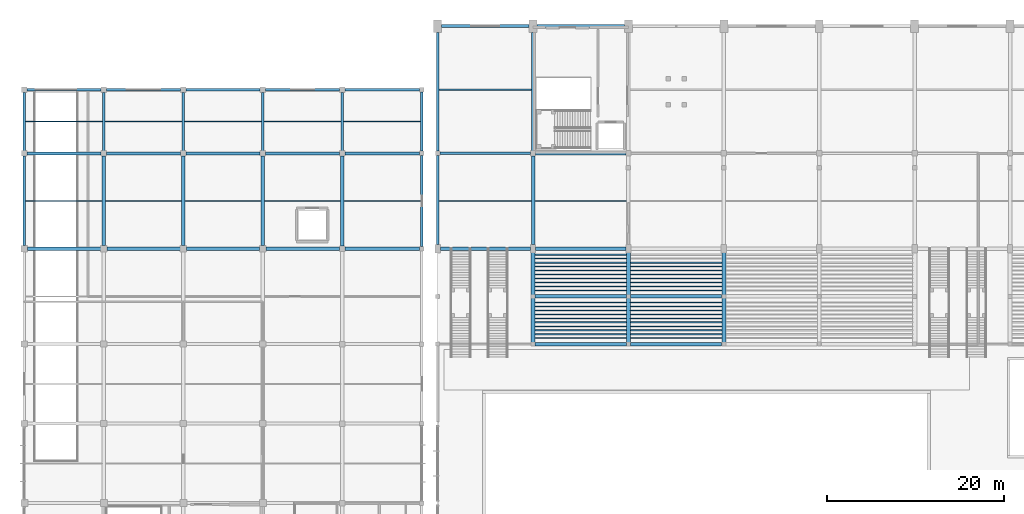
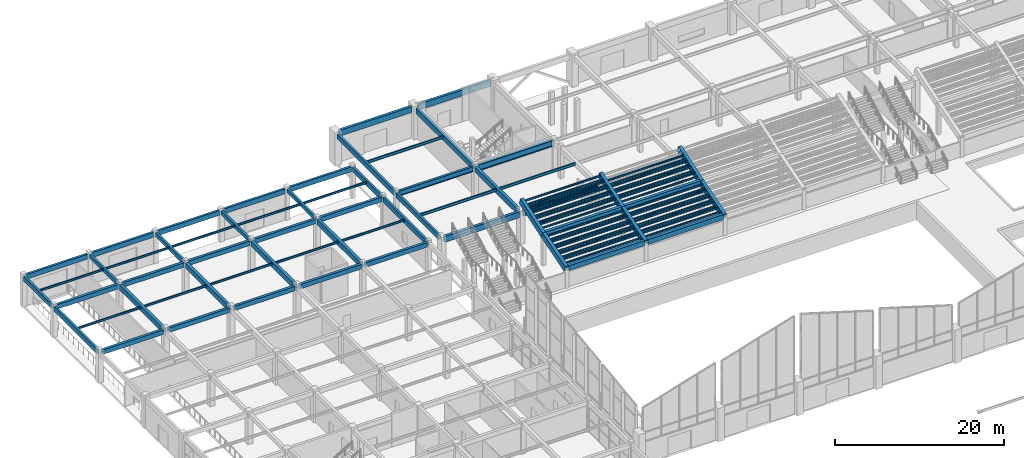
# One storey, part 29 of 82: 98 beams.
"""IFC4 building model written with IfcOpenShell, lengths in metres."""

from ifc_helpers import new_model, si_unit, direction, frame, origin, origin_2d, place, context, subcontext, project, spatial, rectangle, i_section, extrude, material, material_profile, profile_set, type_object, element, save


model = new_model("IFC4")

# Units and contexts
model_context = context("Model", 3, precision=1e-05, world=origin(), true_north=direction((0.0, 1.0)))
body_context = subcontext(model_context, "Body", "Model", "MODEL_VIEW")
ifc_project = project(units=[si_unit("LENGTHUNIT", "METRE"), si_unit("AREAUNIT", "SQUARE_METRE"), si_unit("VOLUMEUNIT", "CUBIC_METRE"), si_unit("PLANEANGLEUNIT", "RADIAN"), si_unit("MASSUNIT", "GRAM", prefix="KILO")], contexts=[model_context])

# Site, building, storey
site_placement = place(None, origin())
site = spatial("IfcSite", under=ifc_project, at=site_placement, CompositionType="ELEMENT")
building_placement = place(site_placement, origin())
building = spatial("IfcBuilding", under=site, at=building_placement, Name="Suirenkawa Promenade Aquatics Centre", CompositionType="ELEMENT")
storey_placement = place(building_placement, origin())
storey = spatial("IfcBuildingStorey", under=building, at=storey_placement, Name="L00", CompositionType="ELEMENT", Elevation=0.0)

# Beams
ifc_material_1 = material(Name="Steel IS 2062 E350 (Grade 350)", Category="steel")
ifc_material_profile_1 = material_profile(ifc_material_1, i_section(OverallWidth=0.125, OverallDepth=0.25, WebThickness=0.007080078125, FlangeThickness=0.012939453125, at=origin_2d()), Name="ISMB 250", Category="steel")
ifc_profile_set_1 = profile_set([ifc_material_profile_1], Name="Steel IS 2062 E350 (Grade 350)")
beam_type_1 = type_object("IfcBeamType", Name="BT-JOIST-ISMB250", PredefinedType="JOIST", material=ifc_profile_set_1)
for number, where, z_axis, x_axis, name in (
    (1, (57.800048828125, 87.080078125, 2.985107421875), (1.0, 0.0, 0.0), (0.0, 1.0, 0.0), "Seating tier rear stringer JS-01 BM-1177"),
    (2, (57.800048828125, 87.52001953125, 3.284912109375), (1.0, 0.0, 0.0), (0.0, 1.0, 0.0), "Seating tier front stringer JS-01 BM-1178"),
    (3, (57.800048828125, 87.97998046875, 3.284912109375), (1.0, 0.0, 0.0), (0.0, 1.0, 0.0), "Seating tier rear stringer JS-01 BM-1179"),
    (4, (57.800048828125, 88.419921875, 3.5849609375), (1.0, 0.0, 0.0), (0.0, 1.0, 0.0), "Seating tier front stringer JS-01 BM-1180"),
    (5, (57.800048828125, 88.8798828125, 3.5849609375), (1.0, 0.0, 0.0), (0.0, 1.0, 0.0), "Seating tier rear stringer JS-01 BM-1181"),
    (6, (57.800048828125, 89.320068359375, 3.885009765625), (1.0, 0.0, 0.0), (0.0, 1.0, 0.0), "Seating tier front stringer JS-01 BM-1182"),
    (7, (57.800048828125, 89.780029296875, 3.885009765625), (1.0, 0.0, 0.0), (0.0, 1.0, 0.0), "Seating tier rear stringer JS-01 BM-1183"),
    (8, (57.800048828125, 90.219970703125, 4.18505859375), (1.0, 0.0, 0.0), (0.0, 1.0, 0.0), "Seating tier front stringer JS-01 BM-1184"),
    (9, (57.800048828125, 90.679931640625, 4.18505859375), (1.0, 0.0, 0.0), (0.0, 1.0, 0.0), "Seating tier rear stringer JS-01 BM-1185"),
    (10, (57.800048828125, 91.1201171875, 4.485107421875), (1.0, 0.0, 0.0), (0.0, 1.0, 0.0), "Seating tier front stringer JS-01 BM-1186"),
    (11, (57.800048828125, 92.47998046875, 4.784912109375), (1.0, 0.0, 0.0), (0.0, 1.0, 0.0), "Seating tier rear stringer JS-01 BM-1187"),
    (12, (57.800048828125, 92.919921875, 5.0849609375), (1.0, 0.0, 0.0), (0.0, 1.0, 0.0), "Seating tier front stringer JS-01 BM-1188"),
    (13, (57.800048828125, 93.3798828125, 5.0849609375), (1.0, 0.0, 0.0), (0.0, 1.0, 0.0), "Seating tier rear stringer JS-01 BM-1189"),
    (14, (57.800048828125, 93.820068359375, 5.385009765625), (1.0, 0.0, 0.0), (0.0, 1.0, 0.0), "Seating tier front stringer JS-01 BM-1190"),
    (15, (57.800048828125, 94.280029296875, 5.385009765625), (1.0, 0.0, 0.0), (0.0, 1.0, 0.0), "Seating tier rear stringer JS-01 BM-1191"),
    (16, (57.800048828125, 94.719970703125, 5.68505859375), (1.0, 0.0, 0.0), (0.0, 1.0, 0.0), "Seating tier front stringer JS-01 BM-1192"),
    (17, (57.800048828125, 95.179931640625, 5.68505859375), (1.0, 0.0, 0.0), (0.0, 1.0, 0.0), "Seating tier rear stringer JS-01 BM-1193"),
    (18, (57.800048828125, 95.6201171875, 5.985107421875), (1.0, 0.0, 0.0), (0.0, 1.0, 0.0), "Seating tier front stringer JS-01 BM-1194"),
    (19, (57.800048828125, 96.080078125, 5.985107421875), (1.0, 0.0, 0.0), (0.0, 1.0, 0.0), "Seating tier rear stringer JS-01 BM-1195"),
    (20, (57.800048828125, 96.52001953125, 6.284912109375), (1.0, 0.0, 0.0), (0.0, 1.0, 0.0), "Seating tier front stringer JS-01 BM-1196"),
    (21, (68.60009765625, 87.080078125, 2.985107421875), (1.0, 0.0, 0.0), (0.0, 1.0, 0.0), "Seating tier rear stringer JS-01 BM-1200"),
    (22, (68.60009765625, 87.52001953125, 3.284912109375), (1.0, 0.0, 0.0), (0.0, 1.0, 0.0), "Seating tier front stringer JS-01 BM-1201"),
    (23, (68.60009765625, 87.97998046875, 3.284912109375), (1.0, 0.0, 0.0), (0.0, 1.0, 0.0), "Seating tier rear stringer JS-01 BM-1202"),
    (24, (68.60009765625, 88.419921875, 3.5849609375), (1.0, 0.0, 0.0), (0.0, 1.0, 0.0), "Seating tier front stringer JS-01 BM-1203"),
    (25, (68.60009765625, 88.8798828125, 3.5849609375), (1.0, 0.0, 0.0), (0.0, 1.0, 0.0), "Seating tier rear stringer JS-01 BM-1204"),
    (26, (68.60009765625, 89.320068359375, 3.885009765625), (1.0, 0.0, 0.0), (0.0, 1.0, 0.0), "Seating tier front stringer JS-01 BM-1205"),
    (27, (68.60009765625, 89.780029296875, 3.885009765625), (1.0, 0.0, 0.0), (0.0, 1.0, 0.0), "Seating tier rear stringer JS-01 BM-1206"),
    (28, (68.60009765625, 90.219970703125, 4.18505859375), (1.0, 0.0, 0.0), (0.0, 1.0, 0.0), "Seating tier front stringer JS-01 BM-1207"),
    (29, (68.60009765625, 90.679931640625, 4.18505859375), (1.0, 0.0, 0.0), (0.0, 1.0, 0.0), "Seating tier rear stringer JS-01 BM-1208"),
    (30, (68.60009765625, 91.1201171875, 4.485107421875), (1.0, 0.0, 0.0), (0.0, 1.0, 0.0), "Seating tier front stringer JS-01 BM-1209"),
    (31, (68.60009765625, 92.47998046875, 4.784912109375), (1.0, 0.0, 0.0), (0.0, 1.0, 0.0), "Seating tier rear stringer JS-01 BM-1210"),
    (32, (68.60009765625, 92.919921875, 5.0849609375), (1.0, 0.0, 0.0), (0.0, 1.0, 0.0), "Seating tier front stringer JS-01 BM-1211"),
    (33, (68.60009765625, 93.3798828125, 5.0849609375), (1.0, 0.0, 0.0), (0.0, 1.0, 0.0), "Seating tier rear stringer JS-01 BM-1212"),
    (34, (68.60009765625, 93.820068359375, 5.385009765625), (1.0, 0.0, 0.0), (0.0, 1.0, 0.0), "Seating tier front stringer JS-01 BM-1213"),
    (35, (68.60009765625, 94.280029296875, 5.385009765625), (1.0, 0.0, 0.0), (0.0, 1.0, 0.0), "Seating tier rear stringer JS-01 BM-1214"),
    (36, (68.60009765625, 94.719970703125, 5.68505859375), (1.0, 0.0, 0.0), (0.0, 1.0, 0.0), "Seating tier front stringer JS-01 BM-1215"),
    (37, (68.60009765625, 95.179931640625, 5.68505859375), (1.0, 0.0, 0.0), (0.0, 1.0, 0.0), "Seating tier rear stringer JS-01 BM-1216"),
    (38, (68.60009765625, 95.6201171875, 5.985107421875), (1.0, 0.0, 0.0), (0.0, 1.0, 0.0), "Seating tier front stringer JS-01 BM-1217"),
):
    element("IfcBeam", number, at=place(storey_placement, frame(where, z_axis=z_axis, x_axis=x_axis)), inside=storey, type_object=beam_type_1, Name=name, PredefinedType="JOIST", context=body_context, shape_type="SweptSolid", body=[
        extrude(i_section(OverallWidth=0.125, OverallDepth=0.25, WebThickness=0.007080078125, FlangeThickness=0.012939453125, at=origin_2d()), origin(), (0.0, 0.0, 1.0), 10.39990234375),
    ])
ifc_material_profile_2 = material_profile(ifc_material_1, i_section(OverallWidth=0.139892578125, OverallDepth=0.300048828125, WebThickness=0.008056640625, FlangeThickness=0.012939453125, at=origin_2d()), Name="ISMB 300", Category="steel")
ifc_profile_set_2 = profile_set([ifc_material_profile_2], Name="Steel IS 2062 E350 (Grade 350)")
beam_type_2 = type_object("IfcBeamType", Name="BT-JOIST-ISMB300", PredefinedType="JOIST", material=ifc_profile_set_2)
beam_1_placement = place(storey_placement, frame((0.14404296875, 102.60009765625, 4.347900390625), z_axis=(1.0, 0.0, 0.0), x_axis=(0.0, 1.0, 0.0)))
element("IfcBeam", 39, at=beam_1_placement, inside=storey, type_object=beam_type_2, Name="Secondary floor joist JS-02 BM-0342", PredefinedType="JOIST", context=body_context, shape_type="SweptSolid", body=[
    extrude(i_section(OverallWidth=0.139892578125, OverallDepth=0.300048828125, WebThickness=0.008056640625, FlangeThickness=0.012939453125, at=origin_2d()), origin(), (0.0, 0.0, 1.0), 8.661865234375),
])
beam_2_placement = place(storey_placement, frame((0.14404296875, 111.60009765625, 4.347900390625), z_axis=(1.0, 0.0, 0.0), x_axis=(0.0, 1.0, 0.0)))
element("IfcBeam", 40, at=beam_2_placement, inside=storey, type_object=beam_type_2, Name="Secondary floor joist JS-02 BM-0343", PredefinedType="JOIST", context=body_context, shape_type="SweptSolid", body=[
    extrude(i_section(OverallWidth=0.139892578125, OverallDepth=0.300048828125, WebThickness=0.008056640625, FlangeThickness=0.012939453125, at=origin_2d()), origin(), (0.0, 0.0, 1.0), 8.7119140625),
])
beam_3_placement = place(storey_placement, frame((9.194091796875, 102.60009765625, 4.347900390625), z_axis=(1.0, 0.0, 0.0), x_axis=(0.0, 1.0, 0.0)))
element("IfcBeam", 41, at=beam_3_placement, inside=storey, type_object=beam_type_2, Name="Secondary floor joist JS-02 BM-0350", PredefinedType="JOIST", context=body_context, shape_type="SweptSolid", body=[
    extrude(i_section(OverallWidth=0.139892578125, OverallDepth=0.300048828125, WebThickness=0.008056640625, FlangeThickness=0.012939453125, at=origin_2d()), origin(), (0.0, 0.0, 1.0), 8.61181640625),
])
beam_4_placement = place(storey_placement, frame((9.14404296875, 111.60009765625, 4.347900390625), z_axis=(1.0, 0.0, 0.0), x_axis=(0.0, 1.0, 0.0)))
element("IfcBeam", 42, at=beam_4_placement, inside=storey, type_object=beam_type_2, Name="Secondary floor joist JS-02 BM-0351", PredefinedType="JOIST", context=body_context, shape_type="SweptSolid", body=[
    extrude(i_section(OverallWidth=0.139892578125, OverallDepth=0.300048828125, WebThickness=0.008056640625, FlangeThickness=0.012939453125, at=origin_2d()), origin(), (0.0, 0.0, 1.0), 8.7119140625),
])
beam_5_placement = place(storey_placement, frame((18.194091796875, 102.60009765625, 4.347900390625), z_axis=(1.0, 0.0, 0.0), x_axis=(0.0, 1.0, 0.0)))
element("IfcBeam", 43, at=beam_5_placement, inside=storey, type_object=beam_type_2, Name="Secondary floor joist JS-02 BM-0360", PredefinedType="JOIST", context=body_context, shape_type="SweptSolid", body=[
    extrude(i_section(OverallWidth=0.139892578125, OverallDepth=0.300048828125, WebThickness=0.008056640625, FlangeThickness=0.012939453125, at=origin_2d()), origin(), (0.0, 0.0, 1.0), 8.61181640625),
])
beam_6_placement = place(storey_placement, frame((18.14404296875, 111.60009765625, 4.347900390625), z_axis=(1.0, 0.0, 0.0), x_axis=(0.0, 1.0, 0.0)))
element("IfcBeam", 44, at=beam_6_placement, inside=storey, type_object=beam_type_2, Name="Secondary floor joist JS-02 BM-0361", PredefinedType="JOIST", context=body_context, shape_type="SweptSolid", body=[
    extrude(i_section(OverallWidth=0.139892578125, OverallDepth=0.300048828125, WebThickness=0.008056640625, FlangeThickness=0.012939453125, at=origin_2d()), origin(), (0.0, 0.0, 1.0), 8.7119140625),
])
beam_7_placement = place(storey_placement, frame((27.194091796875, 102.60009765625, 4.347900390625), z_axis=(1.0, 0.0, 0.0), x_axis=(0.0, 1.0, 0.0)))
element("IfcBeam", 45, at=beam_7_placement, inside=storey, type_object=beam_type_2, Name="Secondary floor joist JS-02 BM-0372", PredefinedType="JOIST", context=body_context, shape_type="SweptSolid", body=[
    extrude(i_section(OverallWidth=0.139892578125, OverallDepth=0.300048828125, WebThickness=0.008056640625, FlangeThickness=0.012939453125, at=origin_2d()), origin(), (0.0, 0.0, 1.0), 8.61181640625),
])
beam_8_placement = place(storey_placement, frame((27.14404296875, 111.60009765625, 4.347900390625), z_axis=(1.0, 0.0, 0.0), x_axis=(0.0, 1.0, 0.0)))
element("IfcBeam", 46, at=beam_8_placement, inside=storey, type_object=beam_type_2, Name="Secondary floor joist JS-02 BM-0373", PredefinedType="JOIST", context=body_context, shape_type="SweptSolid", body=[
    extrude(i_section(OverallWidth=0.139892578125, OverallDepth=0.300048828125, WebThickness=0.008056640625, FlangeThickness=0.012939453125, at=origin_2d()), origin(), (0.0, 0.0, 1.0), 8.7119140625),
])
beam_9_placement = place(storey_placement, frame((36.194091796875, 102.60009765625, 4.347900390625), z_axis=(1.0, 0.0, 0.0), x_axis=(0.0, 1.0, 0.0)))
element("IfcBeam", 47, at=beam_9_placement, inside=storey, type_object=beam_type_2, Name="Secondary floor joist JS-02 BM-0384", PredefinedType="JOIST", context=body_context, shape_type="SweptSolid", body=[
    extrude(i_section(OverallWidth=0.139892578125, OverallDepth=0.300048828125, WebThickness=0.008056640625, FlangeThickness=0.012939453125, at=origin_2d()), origin(), (0.0, 0.0, 1.0), 8.661865234375),
])
beam_10_placement = place(storey_placement, frame((36.14404296875, 111.60009765625, 4.347900390625), z_axis=(1.0, 0.0, 0.0), x_axis=(0.0, 1.0, 0.0)))
element("IfcBeam", 48, at=beam_10_placement, inside=storey, type_object=beam_type_2, Name="Secondary floor joist JS-02 BM-0385", PredefinedType="JOIST", context=body_context, shape_type="SweptSolid", body=[
    extrude(i_section(OverallWidth=0.139892578125, OverallDepth=0.300048828125, WebThickness=0.008056640625, FlangeThickness=0.012939453125, at=origin_2d()), origin(), (0.0, 0.0, 1.0), 8.7119140625),
])
ifc_material_profile_3 = material_profile(ifc_material_1, i_section(OverallWidth=0.139892578125, OverallDepth=0.39990234375, WebThickness=0.009033203125, FlangeThickness=0.01611328125, at=origin_2d()), Name="ISMB 400", Category="steel")
ifc_profile_set_3 = profile_set([ifc_material_profile_3], Name="Steel IS 2062 E350 (Grade 350)")
beam_type_3 = type_object("IfcBeamType", Name="BT-JOIST-ISMB400", PredefinedType="JOIST", material=ifc_profile_set_3)
for number, where, z_axis, x_axis, name in (
    (49, (46.944091796875, 102.60009765625, 4.318115234375), (1.0, 0.0, 0.0), (0.0, 1.0, 0.0), "Secondary floor joist JS-04 BM-1108"),
    (50, (46.944091796875, 115.199951171875, 4.318115234375), (1.0, 0.0, 0.0), (0.0, 1.0, 0.0), "Secondary floor joist JS-04 BM-1109"),
):
    element("IfcBeam", number, at=place(storey_placement, frame(where, z_axis=z_axis, x_axis=x_axis)), inside=storey, type_object=beam_type_3, Name=name, PredefinedType="JOIST", context=body_context, shape_type="SweptSolid", body=[
        extrude(i_section(OverallWidth=0.139892578125, OverallDepth=0.39990234375, WebThickness=0.009033203125, FlangeThickness=0.01611328125, at=origin_2d()), origin(), (0.0, 0.0, 1.0), 10.4619140625),
    ])
beam_11_placement = place(storey_placement, frame((57.7939453125, 102.60009765625, 4.318115234375), z_axis=(1.0, 0.0, 0.0), x_axis=(0.0, 1.0, 0.0)))
element("IfcBeam", 51, at=beam_11_placement, inside=storey, type_object=beam_type_3, Name="Secondary floor joist JS-04 BM-1110", PredefinedType="JOIST", context=body_context, shape_type="SweptSolid", body=[
    extrude(i_section(OverallWidth=0.139892578125, OverallDepth=0.39990234375, WebThickness=0.009033203125, FlangeThickness=0.01611328125, at=origin_2d()), origin(), (0.0, 0.0, 1.0), 10.412109375),
])
ifc_material_2 = material(Name="Concrete M40", Category="concrete")
ifc_material_profile_4 = material_profile(ifc_material_2, rectangle(XDim=0.449951171875, YDim=0.85009765625, at=origin_2d()), Name="RC RAKER 450x850", Category="concrete")
ifc_profile_set_4 = profile_set([ifc_material_profile_4], Name="Concrete M40")
beam_type_4 = type_object("IfcBeamType", Name="BT-RAKER-450x850", PredefinedType="BEAM", material=ifc_profile_set_4)
beam_12_placement = place(storey_placement, frame((57.60009765625, 86.39990234375, 2.68505859375), z_axis=(0.0, 0.957834627733, 0.287320075727), x_axis=(-1.0, 0.0, 0.0)))
element("IfcBeam", 52, at=beam_12_placement, inside=storey, type_object=beam_type_4, Name="RAKER spectator stand beam RK-01 BM-1156", PredefinedType="BEAM", context=body_context, shape_type="SweptSolid", body=[
    extrude(rectangle(XDim=0.449951171875, YDim=0.85009765625, at=origin_2d()), origin(), (0.0, 0.0, 1.0), 5.637939453125),
])
beam_13_placement = place(storey_placement, frame((57.60009765625, 91.800048828125, 4.304931640625), z_axis=(0.0, 0.948683298051, 0.316227766017), x_axis=(-1.0, 0.0, 0.0)))
element("IfcBeam", 53, at=beam_13_placement, inside=storey, type_object=beam_type_4, Name="RAKER spectator stand beam RK-01 BM-1157", PredefinedType="BEAM", context=body_context, shape_type="SweptSolid", body=[
    extrude(rectangle(XDim=0.449951171875, YDim=0.85009765625, at=origin_2d()), origin(), (0.0, 0.0, 1.0), 5.533935546875),
])
beam_14_placement = place(storey_placement, frame((68.39990234375, 86.39990234375, 2.68505859375), z_axis=(0.0, 0.957834627733, 0.287320075727), x_axis=(-1.0, 0.0, 0.0)))
element("IfcBeam", 54, at=beam_14_placement, inside=storey, type_object=beam_type_4, Name="RAKER spectator stand beam RK-01 BM-1158", PredefinedType="BEAM", context=body_context, shape_type="SweptSolid", body=[
    extrude(rectangle(XDim=0.449951171875, YDim=0.85009765625, at=origin_2d()), origin(), (0.0, 0.0, 1.0), 5.637939453125),
])
beam_15_placement = place(storey_placement, frame((68.39990234375, 91.800048828125, 4.304931640625), z_axis=(0.0, 0.948683298051, 0.316227766017), x_axis=(-1.0, 0.0, 0.0)))
element("IfcBeam", 55, at=beam_15_placement, inside=storey, type_object=beam_type_4, Name="RAKER spectator stand beam RK-01 BM-1159", PredefinedType="BEAM", context=body_context, shape_type="SweptSolid", body=[
    extrude(rectangle(XDim=0.449951171875, YDim=0.85009765625, at=origin_2d()), origin(), (0.0, 0.0, 1.0), 5.533935546875),
])
beam_16_placement = place(storey_placement, frame((79.199951171875, 86.39990234375, 2.68505859375), z_axis=(0.0, 0.957834627733, 0.287320075727), x_axis=(-1.0, 0.0, 0.0)))
element("IfcBeam", 56, at=beam_16_placement, inside=storey, type_object=beam_type_4, Name="RAKER spectator stand beam RK-01 BM-1160", PredefinedType="BEAM", context=body_context, shape_type="SweptSolid", body=[
    extrude(rectangle(XDim=0.449951171875, YDim=0.85009765625, at=origin_2d()), origin(), (0.0, 0.0, 1.0), 5.637939453125),
])
beam_17_placement = place(storey_placement, frame((79.199951171875, 91.800048828125, 4.304931640625), z_axis=(0.0, 0.948683298051, 0.316227766017), x_axis=(-1.0, 0.0, 0.0)))
element("IfcBeam", 57, at=beam_17_placement, inside=storey, type_object=beam_type_4, Name="RAKER spectator stand beam RK-01 BM-1161", PredefinedType="BEAM", context=body_context, shape_type="SweptSolid", body=[
    extrude(rectangle(XDim=0.449951171875, YDim=0.85009765625, at=origin_2d()), origin(), (0.0, 0.0, 1.0), 5.533935546875),
])
ifc_material_3 = material(Name="Concrete M35", Category="concrete")
ifc_material_profile_5 = material_profile(ifc_material_3, rectangle(XDim=0.300048828125, YDim=0.550048828125, at=origin_2d()), Name="RC BM 300x550", Category="concrete")
ifc_profile_set_5 = profile_set([ifc_material_profile_5], Name="Concrete M35")
beam_type_5 = type_object("IfcBeamType", Name="BT-RC-300x550", PredefinedType="BEAM", material=ifc_profile_set_5)
for number, where, z_axis, x_axis, name in (
    (58, (9.0, 108.2939453125, 4.22509765625), (0.0, 1.0, 0.0), (-1.0, 0.0, 0.0), "Floor beam BM-01 BM-0285"),
    (59, (18.0, 108.2939453125, 4.22509765625), (0.0, 1.0, 0.0), (-1.0, 0.0, 0.0), "Floor beam BM-01 BM-0295"),
    (60, (27.0, 108.2939453125, 4.22509765625), (0.0, 1.0, 0.0), (-1.0, 0.0, 0.0), "Floor beam BM-01 BM-0307"),
    (61, (36.0, 108.2939453125, 4.22509765625), (0.0, 1.0, 0.0), (-1.0, 0.0, 0.0), "Floor beam BM-01 BM-0319"),
):
    element("IfcBeam", number, at=place(storey_placement, frame(where, z_axis=z_axis, x_axis=x_axis)), inside=storey, type_object=beam_type_5, Name=name, PredefinedType="BEAM", context=body_context, shape_type="SweptSolid", body=[
        extrude(rectangle(XDim=0.300048828125, YDim=0.550048828125, at=origin_2d()), origin(), (0.0, 0.0, 1.0), 6.612060546875),
    ])
ifc_material_profile_6 = material_profile(ifc_material_3, rectangle(XDim=0.35009765625, YDim=0.64990234375, at=origin_2d()), Name="RC BM 350x650", Category="concrete")
ifc_profile_set_6 = profile_set([ifc_material_profile_6], Name="Concrete M35")
beam_type_6 = type_object("IfcBeamType", Name="BT-RC-350x650", PredefinedType="BEAM", material=ifc_profile_set_6)
for number, where, z_axis, x_axis, name in (
    (62, (0.343994140625, 97.199951171875, 4.175048828125), (1.0, 0.0, 0.0), (0.0, 1.0, 0.0), "Floor beam BM-03 BM-0247"),
    (63, (9.343994140625, 97.199951171875, 4.175048828125), (1.0, 0.0, 0.0), (0.0, 1.0, 0.0), "Floor beam BM-03 BM-0248"),
    (64, (18.343994140625, 97.199951171875, 4.175048828125), (1.0, 0.0, 0.0), (0.0, 1.0, 0.0), "Floor beam BM-03 BM-0249"),
):
    element("IfcBeam", number, at=place(storey_placement, frame(where, z_axis=z_axis, x_axis=x_axis)), inside=storey, type_object=beam_type_6, Name=name, PredefinedType="BEAM", context=body_context, shape_type="SweptSolid", body=[
        extrude(rectangle(XDim=0.35009765625, YDim=0.64990234375, at=origin_2d()), origin(), (0.0, 0.0, 1.0), 8.31201171875),
    ])
beam_18_placement = place(storey_placement, frame((27.343994140625, 97.199951171875, 4.175048828125), z_axis=(1.0, 0.0, 0.0), x_axis=(0.0, 1.0, 0.0)))
element("IfcBeam", 65, at=beam_18_placement, inside=storey, type_object=beam_type_6, Name="Floor beam BM-03 BM-0250", PredefinedType="BEAM", context=body_context, shape_type="SweptSolid", body=[
    extrude(rectangle(XDim=0.35009765625, YDim=0.64990234375, at=origin_2d()), origin(), (0.0, 0.0, 1.0), 8.362060546875),
])
beam_19_placement = place(storey_placement, frame((36.2939453125, 97.199951171875, 4.175048828125), z_axis=(1.0, 0.0, 0.0), x_axis=(0.0, 1.0, 0.0)))
element("IfcBeam", 66, at=beam_19_placement, inside=storey, type_object=beam_type_6, Name="Floor beam BM-03 BM-0251", PredefinedType="BEAM", context=body_context, shape_type="SweptSolid", body=[
    extrude(rectangle(XDim=0.35009765625, YDim=0.64990234375, at=origin_2d()), origin(), (0.0, 0.0, 1.0), 8.462158203125),
])
for number, where, z_axis, x_axis, name in (
    (67, (0.2939453125, 108.0, 4.175048828125), (1.0, 0.0, 0.0), (0.0, 1.0, 0.0), "Floor beam BM-03 BM-0252"),
    (68, (9.2939453125, 108.0, 4.175048828125), (1.0, 0.0, 0.0), (0.0, 1.0, 0.0), "Floor beam BM-03 BM-0253"),
    (69, (18.2939453125, 108.0, 4.175048828125), (1.0, 0.0, 0.0), (0.0, 1.0, 0.0), "Floor beam BM-03 BM-0254"),
    (70, (27.2939453125, 108.0, 4.175048828125), (1.0, 0.0, 0.0), (0.0, 1.0, 0.0), "Floor beam BM-03 BM-0255"),
):
    element("IfcBeam", number, at=place(storey_placement, frame(where, z_axis=z_axis, x_axis=x_axis)), inside=storey, type_object=beam_type_6, Name=name, PredefinedType="BEAM", context=body_context, shape_type="SweptSolid", body=[
        extrude(rectangle(XDim=0.35009765625, YDim=0.64990234375, at=origin_2d()), origin(), (0.0, 0.0, 1.0), 8.412109375),
    ])
beam_20_placement = place(storey_placement, frame((36.2939453125, 108.0, 4.175048828125), z_axis=(1.0, 0.0, 0.0), x_axis=(0.0, 1.0, 0.0)))
element("IfcBeam", 71, at=beam_20_placement, inside=storey, type_object=beam_type_6, Name="Floor beam BM-03 BM-0256", PredefinedType="BEAM", context=body_context, shape_type="SweptSolid", body=[
    extrude(rectangle(XDim=0.35009765625, YDim=0.64990234375, at=origin_2d()), origin(), (0.0, 0.0, 1.0), 8.462158203125),
])
ifc_material_profile_7 = material_profile(ifc_material_3, rectangle(XDim=0.39990234375, YDim=0.699951171875, at=origin_2d()), Name="RC BM 400x700", Category="concrete")
ifc_profile_set_7 = profile_set([ifc_material_profile_7], Name="Concrete M35")
beam_type_7 = type_object("IfcBeamType", Name="BT-RC-400x700", PredefinedType="BEAM", material=ifc_profile_set_7)
for number, where, z_axis, x_axis, name in (
    (72, (57.840087890625, 86.39990234375, 2.760009765625), (1.0, 0.0, 0.0), (0.0, 1.0, 0.0), "Bowl front tie beam BM-04 BM-1174"),
    (73, (57.840087890625, 91.800048828125, 4.3798828125), (1.0, 0.0, 0.0), (0.0, 1.0, 0.0), "Bowl mid tie beam BM-04 BM-1175"),
):
    element("IfcBeam", number, at=place(storey_placement, frame(where, z_axis=z_axis, x_axis=x_axis)), inside=storey, type_object=beam_type_7, Name=name, PredefinedType="BEAM", context=body_context, shape_type="SweptSolid", body=[
        extrude(rectangle(XDim=0.39990234375, YDim=0.699951171875, at=origin_2d()), origin(), (0.0, 0.0, 1.0), 10.31982421875),
    ])
for number, where, z_axis, x_axis, name in (
    (74, (68.639892578125, 86.39990234375, 2.760009765625), (1.0, 0.0, 0.0), (0.0, 1.0, 0.0), "Bowl front tie beam BM-04 BM-1197"),
    (75, (68.639892578125, 91.800048828125, 4.3798828125), (1.0, 0.0, 0.0), (0.0, 1.0, 0.0), "Bowl mid tie beam BM-04 BM-1198"),
):
    element("IfcBeam", number, at=place(storey_placement, frame(where, z_axis=z_axis, x_axis=x_axis)), inside=storey, type_object=beam_type_7, Name=name, PredefinedType="BEAM", context=body_context, shape_type="SweptSolid", body=[
        extrude(rectangle(XDim=0.39990234375, YDim=0.699951171875, at=origin_2d()), origin(), (0.0, 0.0, 1.0), 10.320068359375),
    ])
ifc_material_profile_8 = material_profile(ifc_material_2, rectangle(XDim=0.39990234375, YDim=0.75, at=origin_2d()), Name="RC BM 400x750", Category="concrete")
ifc_profile_set_8 = profile_set([ifc_material_profile_8], Name="Concrete M40")
beam_type_8 = type_object("IfcBeamType", Name="BT-RC-400x750", PredefinedType="BEAM", material=ifc_profile_set_8)
for number, where, z_axis, x_axis, name in (
    (76, (9.0, 97.5439453125, 4.125), (0.0, 1.0, 0.0), (-1.0, 0.0, 0.0), "Floor beam BM-05 BM-0284"),
    (77, (18.0, 97.5439453125, 4.125), (0.0, 1.0, 0.0), (-1.0, 0.0, 0.0), "Floor beam BM-05 BM-0294"),
    (78, (27.0, 97.5439453125, 4.125), (0.0, 1.0, 0.0), (-1.0, 0.0, 0.0), "Floor beam BM-05 BM-0306"),
):
    element("IfcBeam", number, at=place(storey_placement, frame(where, z_axis=z_axis, x_axis=x_axis)), inside=storey, type_object=beam_type_8, Name=name, PredefinedType="BEAM", context=body_context, shape_type="SweptSolid", body=[
        extrude(rectangle(XDim=0.39990234375, YDim=0.75, at=origin_2d()), origin(), (0.0, 0.0, 1.0), 10.162109375),
    ])
beam_21_placement = place(storey_placement, frame((36.0, 97.493896484375, 4.125), z_axis=(0.0, 1.0, 0.0), x_axis=(-1.0, 0.0, 0.0)))
element("IfcBeam", 79, at=beam_21_placement, inside=storey, type_object=beam_type_8, Name="Floor beam BM-05 BM-0318", PredefinedType="BEAM", context=body_context, shape_type="SweptSolid", body=[
    extrude(rectangle(XDim=0.39990234375, YDim=0.75, at=origin_2d()), origin(), (0.0, 0.0, 1.0), 10.212158203125),
])
beam_22_placement = place(storey_placement, frame((57.60009765625, 97.694091796875, 4.14501953125), z_axis=(0.0, 1.0, 0.0), x_axis=(-1.0, 0.0, 0.0)))
element("IfcBeam", 80, at=beam_22_placement, inside=storey, type_object=beam_type_8, Name="Floor beam BM-05 BM-1088", PredefinedType="BEAM", context=body_context, shape_type="SweptSolid", body=[
    extrude(rectangle(XDim=0.39990234375, YDim=0.75, at=origin_2d()), origin(), (0.0, 0.0, 1.0), 10.011962890625),
])
beam_23_placement = place(storey_placement, frame((57.60009765625, 108.2939453125, 4.14501953125), z_axis=(0.0, 1.0, 0.0), x_axis=(-1.0, 0.0, 0.0)))
element("IfcBeam", 81, at=beam_23_placement, inside=storey, type_object=beam_type_8, Name="Floor beam BM-05 BM-1089", PredefinedType="BEAM", context=body_context, shape_type="SweptSolid", body=[
    extrude(rectangle(XDim=0.39990234375, YDim=0.75, at=origin_2d()), origin(), (0.0, 0.0, 1.0), 13.412109375),
])
ifc_material_profile_9 = material_profile(ifc_material_2, rectangle(XDim=0.300048828125, YDim=0.699951171875, at=origin_2d()), Name="RC SPANDREL 300x700", Category="concrete")
ifc_profile_set_9 = profile_set([ifc_material_profile_9], Name="Concrete M40")
beam_type_9 = type_object("IfcBeamType", Name="BT-SPANDREL-300x700", PredefinedType="SPANDREL", material=ifc_profile_set_9)
for number, where, z_axis, x_axis, name in (
    (82, (0.2939453125, 115.199951171875, 4.14990234375), (1.0, 0.0, 0.0), (0.0, 1.0, 0.0), "Floor beam SP-01 BM-0257"),
    (83, (9.2939453125, 115.199951171875, 4.14990234375), (1.0, 0.0, 0.0), (0.0, 1.0, 0.0), "Floor beam SP-01 BM-0258"),
    (84, (18.2939453125, 115.199951171875, 4.14990234375), (1.0, 0.0, 0.0), (0.0, 1.0, 0.0), "Floor beam SP-01 BM-0259"),
    (85, (27.2939453125, 115.199951171875, 4.14990234375), (1.0, 0.0, 0.0), (0.0, 1.0, 0.0), "Floor beam SP-01 BM-0260"),
):
    element("IfcBeam", number, at=place(storey_placement, frame(where, z_axis=z_axis, x_axis=x_axis)), inside=storey, type_object=beam_type_9, Name=name, PredefinedType="SPANDREL", context=body_context, shape_type="SweptSolid", body=[
        extrude(rectangle(XDim=0.300048828125, YDim=0.699951171875, at=origin_2d()), origin(), (0.0, 0.0, 1.0), 8.412109375),
    ])
beam_24_placement = place(storey_placement, frame((36.2939453125, 115.199951171875, 4.14990234375), z_axis=(1.0, 0.0, 0.0), x_axis=(0.0, 1.0, 0.0)))
element("IfcBeam", 86, at=beam_24_placement, inside=storey, type_object=beam_type_9, Name="Floor beam SP-01 BM-0261", PredefinedType="SPANDREL", context=body_context, shape_type="SweptSolid", body=[
    extrude(rectangle(XDim=0.300048828125, YDim=0.699951171875, at=origin_2d()), origin(), (0.0, 0.0, 1.0), 8.462158203125),
])
beam_25_placement = place(storey_placement, frame((0.0, 97.5439453125, 4.14990234375), z_axis=(0.0, 1.0, 0.0), x_axis=(-1.0, 0.0, 0.0)))
element("IfcBeam", 87, at=beam_25_placement, inside=storey, type_object=beam_type_9, Name="Floor beam SP-01 BM-0272", PredefinedType="SPANDREL", context=body_context, shape_type="SweptSolid", body=[
    extrude(rectangle(XDim=0.300048828125, YDim=0.699951171875, at=origin_2d()), origin(), (0.0, 0.0, 1.0), 10.162109375),
])
beam_26_placement = place(storey_placement, frame((0.0, 108.2939453125, 4.14990234375), z_axis=(0.0, 1.0, 0.0), x_axis=(-1.0, 0.0, 0.0)))
element("IfcBeam", 88, at=beam_26_placement, inside=storey, type_object=beam_type_9, Name="Floor beam SP-01 BM-0273", PredefinedType="SPANDREL", context=body_context, shape_type="SweptSolid", body=[
    extrude(rectangle(XDim=0.300048828125, YDim=0.699951171875, at=origin_2d()), origin(), (0.0, 0.0, 1.0), 6.612060546875),
])
beam_27_placement = place(storey_placement, frame((45.0, 97.444091796875, 4.14990234375), z_axis=(0.0, 1.0, 0.0), x_axis=(-1.0, 0.0, 0.0)))
element("IfcBeam", 89, at=beam_27_placement, inside=storey, type_object=beam_type_9, Name="Floor beam SP-01 BM-0330", PredefinedType="SPANDREL", context=body_context, shape_type="SweptSolid", body=[
    extrude(rectangle(XDim=0.300048828125, YDim=0.699951171875, at=origin_2d()), origin(), (0.0, 0.0, 1.0), 10.31201171875),
])
beam_28_placement = place(storey_placement, frame((45.0, 108.243896484375, 4.14990234375), z_axis=(0.0, 1.0, 0.0), x_axis=(-1.0, 0.0, 0.0)))
element("IfcBeam", 90, at=beam_28_placement, inside=storey, type_object=beam_type_9, Name="Floor beam SP-01 BM-0331", PredefinedType="SPANDREL", context=body_context, shape_type="SweptSolid", body=[
    extrude(rectangle(XDim=0.300048828125, YDim=0.699951171875, at=origin_2d()), origin(), (0.0, 0.0, 1.0), 6.712158203125),
])
beam_29_placement = place(storey_placement, frame((46.800048828125, 97.694091796875, 4.169921875), z_axis=(0.0, 1.0, 0.0), x_axis=(-1.0, 0.0, 0.0)))
element("IfcBeam", 91, at=beam_29_placement, inside=storey, type_object=beam_type_9, Name="Floor beam SP-01 BM-1086", PredefinedType="SPANDREL", context=body_context, shape_type="SweptSolid", body=[
    extrude(rectangle(XDim=0.300048828125, YDim=0.699951171875, at=origin_2d()), origin(), (0.0, 0.0, 1.0), 10.06201171875),
])
beam_30_placement = place(storey_placement, frame((46.800048828125, 108.243896484375, 4.169921875), z_axis=(0.0, 1.0, 0.0), x_axis=(-1.0, 0.0, 0.0)))
element("IfcBeam", 92, at=beam_30_placement, inside=storey, type_object=beam_type_9, Name="Floor beam SP-01 BM-1087", PredefinedType="SPANDREL", context=body_context, shape_type="SweptSolid", body=[
    extrude(rectangle(XDim=0.300048828125, YDim=0.699951171875, at=origin_2d()), origin(), (0.0, 0.0, 1.0), 13.462158203125),
])
ifc_material_profile_10 = material_profile(ifc_material_2, rectangle(XDim=0.35009765625, YDim=0.85009765625, at=origin_2d()), Name="RC SPANDREL 350x850", Category="concrete")
ifc_profile_set_10 = profile_set([ifc_material_profile_10], Name="Concrete M40")
beam_type_10 = type_object("IfcBeamType", Name="BT-SPANDREL-350x850", PredefinedType="SPANDREL", material=ifc_profile_set_10)
for number, where, z_axis, x_axis, name in (
    (93, (47.093994140625, 97.199951171875, 4.094970703125), (1.0, 0.0, 0.0), (0.0, 1.0, 0.0), "Floor beam SP-02 BM-1056"),
    (94, (57.89404296875, 97.199951171875, 4.094970703125), (1.0, 0.0, 0.0), (0.0, 1.0, 0.0), "Floor beam SP-02 BM-1057"),
):
    element("IfcBeam", number, at=place(storey_placement, frame(where, z_axis=z_axis, x_axis=x_axis)), inside=storey, type_object=beam_type_10, Name=name, PredefinedType="SPANDREL", context=body_context, shape_type="SweptSolid", body=[
        extrude(rectangle(XDim=0.35009765625, YDim=0.85009765625, at=origin_2d()), origin(), (0.0, 0.0, 1.0), 10.2119140625),
    ])
for number, where, z_axis, x_axis, name in (
    (95, (47.243896484375, 122.39990234375, 4.094970703125), (1.0, 0.0, 0.0), (0.0, 1.0, 0.0), "Floor beam SP-02 BM-1076"),
    (96, (58.0439453125, 122.39990234375, 4.094970703125), (1.0, 0.0, 0.0), (0.0, 1.0, 0.0), "Floor beam SP-02 BM-1077"),
):
    element("IfcBeam", number, at=place(storey_placement, frame(where, z_axis=z_axis, x_axis=x_axis)), inside=storey, type_object=beam_type_10, Name=name, PredefinedType="SPANDREL", context=body_context, shape_type="SweptSolid", body=[
        extrude(rectangle(XDim=0.35009765625, YDim=0.85009765625, at=origin_2d()), origin(), (0.0, 0.0, 1.0), 9.912109375),
    ])
ifc_material_profile_11 = material_profile(ifc_material_1, i_section(OverallWidth=0.300048828125, OverallDepth=0.75, WebThickness=0.013916015625, FlangeThickness=0.02490234375, at=origin_2d()), Name="WPG 750x300", Category="steel")
ifc_profile_set_11 = profile_set([ifc_material_profile_11], Name="Steel IS 2062 E350 (Grade 350)")
beam_type_11 = type_object("IfcBeamType", Name="BT-STL-WPG750", PredefinedType="BEAM", material=ifc_profile_set_11)
beam_31_placement = place(storey_placement, frame((47.0439453125, 108.0, 4.14501953125), z_axis=(1.0, 0.0, 0.0), x_axis=(0.0, 1.0, 0.0)))
element("IfcBeam", 97, at=beam_31_placement, inside=storey, type_object=beam_type_11, Name="Floor beam BM-13 BM-1066", PredefinedType="BEAM", context=body_context, shape_type="SweptSolid", body=[
    extrude(i_section(OverallWidth=0.300048828125, OverallDepth=0.75, WebThickness=0.013916015625, FlangeThickness=0.02490234375, at=origin_2d()), origin(), (0.0, 0.0, 1.0), 10.261962890625),
])
ifc_material_profile_12 = material_profile(ifc_material_1, i_section(OverallWidth=0.35009765625, OverallDepth=0.89990234375, WebThickness=0.01611328125, FlangeThickness=0.031982421875, at=origin_2d()), Name="WPG 900x350", Category="steel")
ifc_profile_set_12 = profile_set([ifc_material_profile_12], Name="Steel IS 2062 E350 (Grade 350)")
beam_type_12 = type_object("IfcBeamType", Name="BT-STL-WPG900", PredefinedType="BEAM", material=ifc_profile_set_12)
beam_32_placement = place(storey_placement, frame((57.89404296875, 108.0, 4.070068359375), z_axis=(1.0, 0.0, 0.0), x_axis=(0.0, 1.0, 0.0)))
element("IfcBeam", 98, at=beam_32_placement, inside=storey, type_object=beam_type_12, Name="Floor beam BM-14 BM-1067", PredefinedType="BEAM", context=body_context, shape_type="SweptSolid", body=[
    extrude(i_section(OverallWidth=0.35009765625, OverallDepth=0.89990234375, WebThickness=0.01611328125, FlangeThickness=0.031982421875, at=origin_2d()), origin(), (0.0, 0.0, 1.0), 10.2119140625),
])

save(model, "model.ifc")
